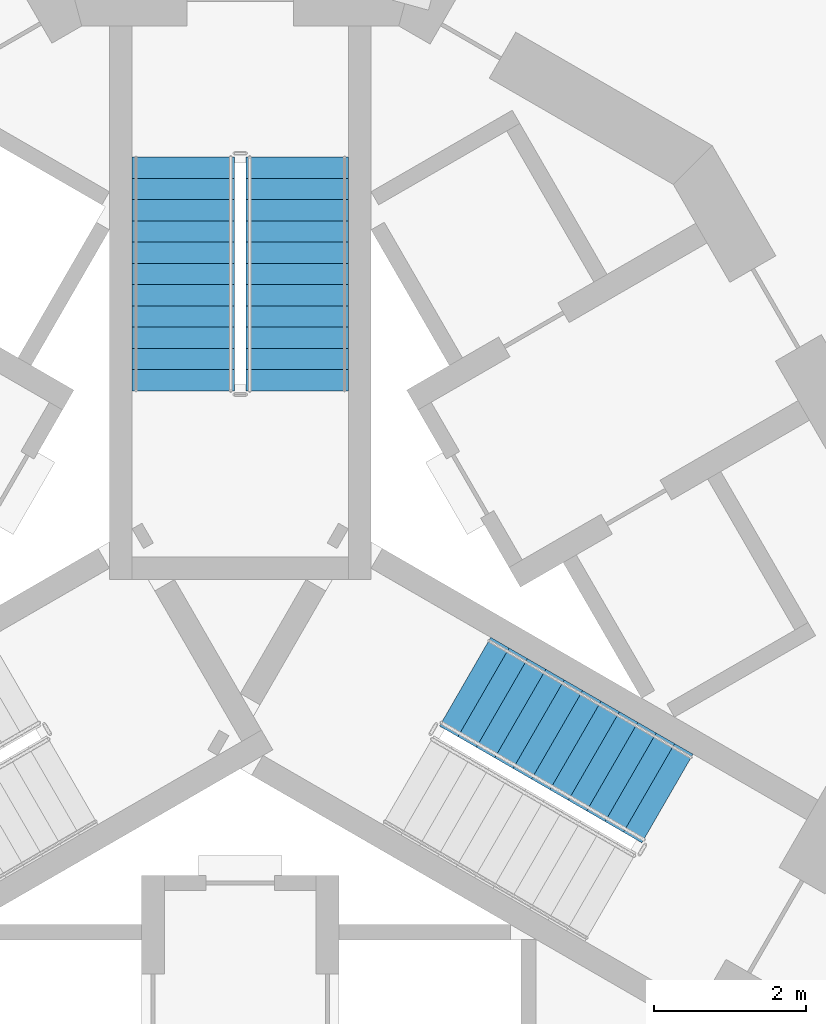
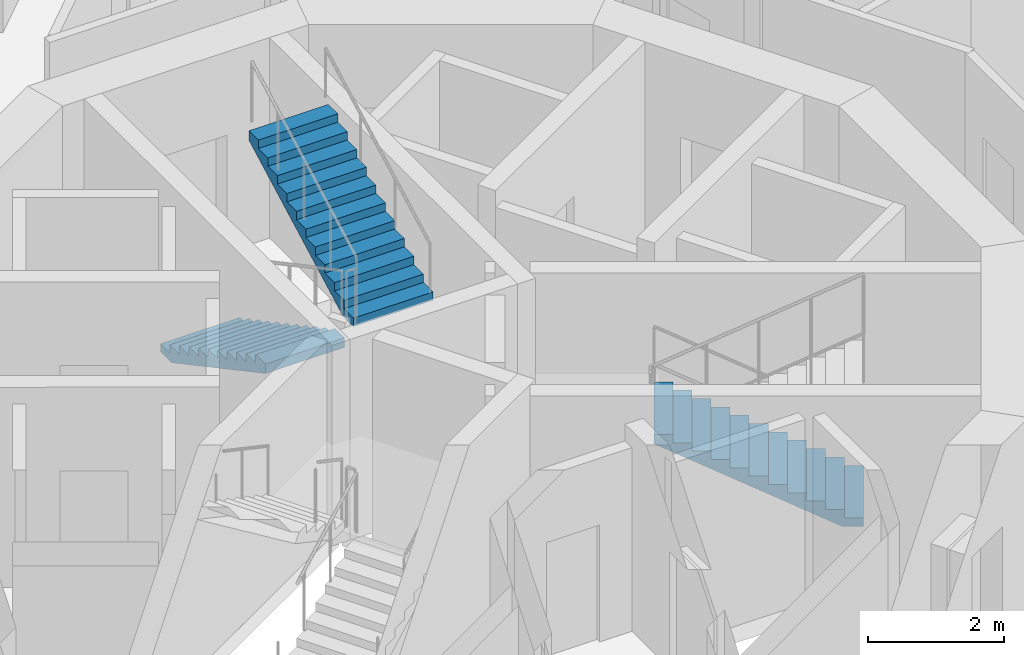
# One storey, part 9 of 15: 3 stair flights, 2 elements without a shape of their own.
"""IFC4 building model written with IfcOpenShell, lengths in metres."""

from ifc_helpers import new_model, si_unit, direction, frame, origin, place, context, subcontext, project, spatial, polyline, outline, extrude, material, type_object, element, aggregate, save


model = new_model("IFC4")

# Units and contexts
model_context = context("Model", 3, precision=1e-05, world=origin(), true_north=direction((0.0, 1.0)))
body_context = subcontext(model_context, "Body", "Model", "MODEL_VIEW")
ifc_project = project(units=[si_unit("LENGTHUNIT", "METRE"), si_unit("AREAUNIT", "SQUARE_METRE"), si_unit("VOLUMEUNIT", "CUBIC_METRE"), si_unit("PLANEANGLEUNIT", "RADIAN"), si_unit("MASSUNIT", "GRAM", prefix="KILO")], contexts=[model_context])

# Site, building, storey
site_placement = place(None, origin())
site = spatial("IfcSite", under=ifc_project, at=site_placement, CompositionType="ELEMENT")
building_placement = place(site_placement, origin())
building = spatial("IfcBuilding", under=site, at=building_placement, Name="Trine Commons Tower", CompositionType="ELEMENT")
storey_placement = place(building_placement, frame((0.0, 0.0, 260.10009765625)))
storey = spatial("IfcBuildingStorey", under=building, at=storey_placement, Name="L68", CompositionType="ELEMENT", Elevation=260.10009765625)

# Stair, stair flights
ifc_material = material(Name="Concrete C50/60", Category="concrete")
stair_type = type_object("IfcStairType", Name="Exit stair, dog-leg, 24 risers of 150 mm", PredefinedType="HALF_TURN_STAIR", material=ifc_material)
stair_1_placement = place(storey_placement, origin())
stair_1 = element("IfcStair", 1, at=stair_1_placement, inside=storey, type_object=stair_type, Name="L68 Exit stair ST1C", PredefinedType="HALF_TURN_STAIR")
stair_flight_type = type_object("IfcStairFlightType", Name="Stair flight, 1350 wide, 12 risers of 150 mm", PredefinedType="STRAIGHT", material=ifc_material)
stair_flight_1_placement = place(storey_placement, frame((79.25, 68.570556640625, 0.0), z_axis=(0.0, 0.0, 1.0), x_axis=(0.0, -1.0, 0.0)))
stair_flight_1 = element("IfcStairFlight", 2, at=stair_flight_1_placement, type_object=stair_flight_type, Name="ST1C flight 1", NumberOfRisers=12, NumberOfTreads=11, PredefinedType="STRAIGHT", RiserHeight=0.15, TreadLength=0.28, context=body_context, shape_type="SweptSolid", body=[
    extrude(outline(polyline([(0.0, 0.0), (0.0, 0.14990234375), (0.280029296875, 0.14990234375), (0.280029296875, 0.300048828125), (0.56005859375, 0.300048828125), (0.56005859375, 0.449951171875), (0.840087890625, 0.449951171875), (0.840087890625, 0.60009765625), (1.1201171875, 0.60009765625), (1.1201171875, 0.75), (1.39990234375, 0.75), (1.39990234375, 0.89990234375), (1.679931640625, 0.89990234375), (1.679931640625, 1.050048828125), (1.9599609375, 1.050048828125), (1.9599609375, 1.199951171875), (2.239990234375, 1.199951171875), (2.239990234375, 1.35009765625), (2.52001953125, 1.35009765625), (2.52001953125, 1.5), (2.800048828125, 1.5), (2.800048828125, 1.64990234375), (3.080078125, 1.64990234375), (3.080078125, 1.800048828125), (3.080078125, 1.47998046875), (0.3173828125, 0.0), (0.0, 0.0)])), frame((0.0, 0.675048828125, 0.0), z_axis=(0.0, -1.0, 0.0), x_axis=(1.0, 0.0, 0.0)), (0.0, 0.0, 1.0), 1.35009765625),
])
stair_flight_2_placement = place(storey_placement, frame((80.75, 65.490478515625, 1.7998046875), z_axis=(0.0, 0.0, 1.0), x_axis=(0.0, 1.0, 0.0)))
stair_flight_2 = element("IfcStairFlight", 3, at=stair_flight_2_placement, type_object=stair_flight_type, Name="ST1C flight 2", NumberOfRisers=12, NumberOfTreads=11, PredefinedType="STRAIGHT", RiserHeight=0.15, TreadLength=0.28, context=body_context, shape_type="SweptSolid", body=[
    extrude(outline(polyline([(0.0, 0.0), (0.0, 0.14990234375), (0.280029296875, 0.14990234375), (0.280029296875, 0.300048828125), (0.56005859375, 0.300048828125), (0.56005859375, 0.449951171875), (0.840087890625, 0.449951171875), (0.840087890625, 0.60009765625), (1.1201171875, 0.60009765625), (1.1201171875, 0.75), (1.39990234375, 0.75), (1.39990234375, 0.89990234375), (1.679931640625, 0.89990234375), (1.679931640625, 1.050048828125), (1.9599609375, 1.050048828125), (1.9599609375, 1.199951171875), (2.239990234375, 1.199951171875), (2.239990234375, 1.35009765625), (2.52001953125, 1.35009765625), (2.52001953125, 1.5), (2.800048828125, 1.5), (2.800048828125, 1.64990234375), (3.080078125, 1.64990234375), (3.080078125, 1.800048828125), (3.080078125, 1.47998046875), (0.3173828125, 0.0), (0.0, 0.0)])), frame((0.0, 0.675048828125, 0.0), z_axis=(0.0, -1.0, 0.0), x_axis=(1.0, 0.0, 0.0)), (0.0, 0.0, 1.0), 1.35009765625),
])
aggregate(stair_1, [stair_flight_1, stair_flight_2])

# Stair, stair flight
stair_2_placement = place(storey_placement, origin())
stair_2 = element("IfcStair", 4, at=stair_2_placement, inside=storey, type_object=stair_type, Name="L68 Exit stair ST3C", PredefinedType="HALF_TURN_STAIR")
stair_flight_3_placement = place(storey_placement, frame((85.63232421875, 60.1142578125, 0.0), z_axis=(0.0, 0.0, 1.0), x_axis=(-0.866025403784, 0.5, 0.0)))
stair_flight_3 = element("IfcStairFlight", 5, at=stair_flight_3_placement, type_object=stair_flight_type, Name="ST3C flight 1", NumberOfRisers=12, NumberOfTreads=11, PredefinedType="STRAIGHT", RiserHeight=0.15, TreadLength=0.28, context=body_context, shape_type="SweptSolid", body=[
    extrude(outline(polyline([(0.0, 0.0), (0.0, 0.14990234375), (0.280029296875, 0.14990234375), (0.280029296875, 0.300048828125), (0.56005859375, 0.300048828125), (0.56005859375, 0.449951171875), (0.840087890625, 0.449951171875), (0.840087890625, 0.60009765625), (1.1201171875, 0.60009765625), (1.1201171875, 0.75), (1.39990234375, 0.75), (1.39990234375, 0.89990234375), (1.679931640625, 0.89990234375), (1.679931640625, 1.050048828125), (1.9599609375, 1.050048828125), (1.9599609375, 1.199951171875), (2.239990234375, 1.199951171875), (2.239990234375, 1.35009765625), (2.52001953125, 1.35009765625), (2.52001953125, 1.5), (2.800048828125, 1.5), (2.800048828125, 1.64990234375), (3.080078125, 1.64990234375), (3.080078125, 1.800048828125), (3.080078125, 1.47998046875), (0.3173828125, 0.0), (0.0, 0.0)])), frame((0.0, 0.675048828125, 0.0), z_axis=(0.0, -1.0, 0.0), x_axis=(1.0, 0.0, 0.0)), (0.0, 0.0, 1.0), 1.35009765625),
])
aggregate(stair_2, [stair_flight_3])

save(model, "model.ifc")
